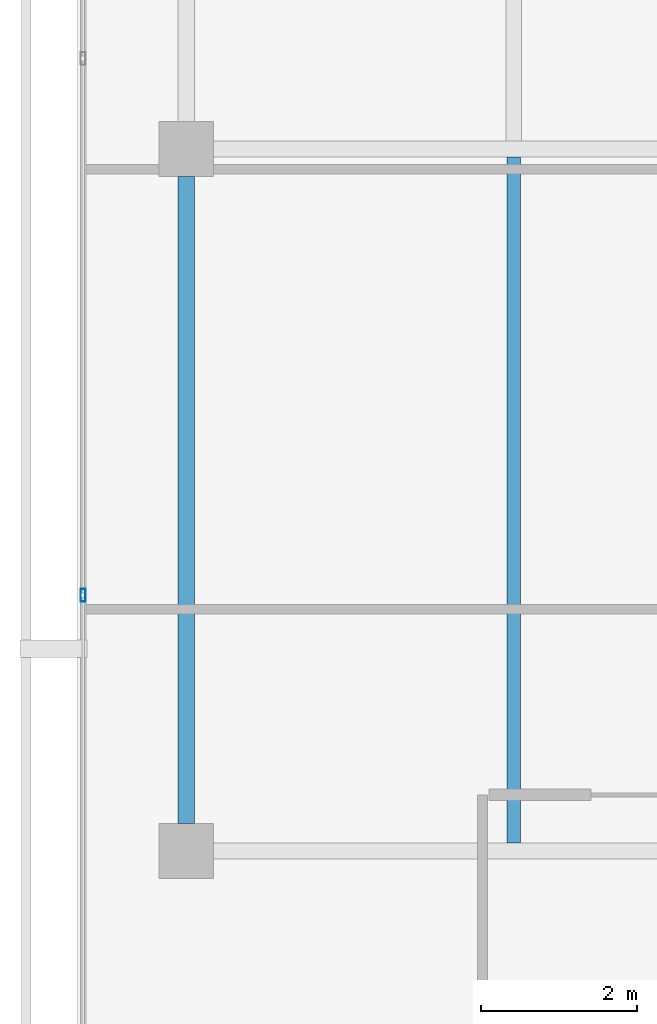
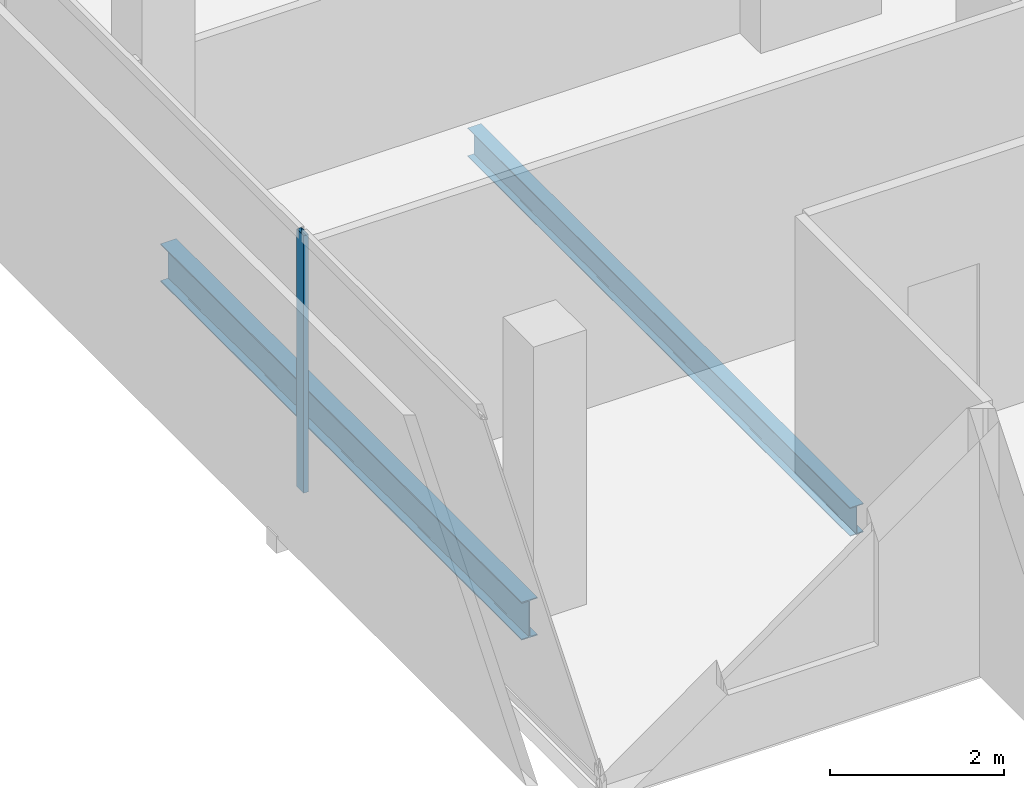
# One storey, part 4 of 26: 2 beams, 1 member, 1 element without a shape of its own.
"""IFC4 building model written with IfcOpenShell, lengths in metres."""

import ifcopenshell
import ifcopenshell.guid

model = None  # the IFC model being written
_history = None  # IfcOwnerHistory: only IFC2X3 demands one
_inside = {}  # id of a spatial element -> (the spatial element, [elements in it])
_under = {}  # id of a project, library or spatial element -> (it, [spatial elements below it])
_declared = {}  # id of a project -> (the project, [libraries it declares])
_typed = {}  # id of a type object -> (the type object, [elements of that type])
_made_of = {}  # id of a material, layer set ... -> (it, [elements and type objects made of it])


def new_model(schema):
    """Start an empty IFC model of exactly this schema.

    Asked for "IFC4X3", IfcOpenShell would pick the latest addendum, in which some entities
    have other attributes; the version numbers below select the first issue.
    IFC2X3 requires an IfcOwnerHistory on every rooted entity: one is made here for all.
    """
    global model, _history
    if schema == "IFC4X3":
        model = ifcopenshell.file(schema_version=(4, 3, 0, 0))
    else:
        model = ifcopenshell.file(schema=schema)
    _inside.clear()
    _under.clear()
    _declared.clear()
    _typed.clear()
    _made_of.clear()
    _history = None
    if model.schema == "IFC2X3":
        org = make("IfcOrganization", Name="unknown")
        user = make(
            "IfcPersonAndOrganization",
            ThePerson=make("IfcPerson", FamilyName="unknown"),
            TheOrganization=org,
        )
        app = make(
            "IfcApplication",
            ApplicationDeveloper=org,
            Version="unknown",
            ApplicationFullName="unknown",
            ApplicationIdentifier="unknown",
        )
        _history = make(
            "IfcOwnerHistory",
            OwningUser=user,
            OwningApplication=app,
            ChangeAction="ADDED",
            CreationDate=0,
        )
    return model


def make(cls, **values):
    """One entity of the class cls with the attributes given. An attribute that is None is left unset."""
    return model.create_entity(
        cls, **{name: value for name, value in values.items() if value is not None}
    )


def rooted(cls, **values):
    """An entity with a GlobalId (a new one), such as an element, a storey or a relation."""
    return make(cls, GlobalId=ifcopenshell.guid.new(), OwnerHistory=_history, **values)


def si_unit(unit_type, name, prefix=None):
    """IfcSIUnit, for example si_unit("LENGTHUNIT", "METRE", prefix="MILLI")."""
    return make("IfcSIUnit", UnitType=unit_type, Prefix=prefix, Name=name)


def assignment(units):
    """IfcUnitAssignment: the units of a project."""
    return None if units is None else make("IfcUnitAssignment", Units=units)


def point(xyz):
    """IfcCartesianPoint."""
    return None if xyz is None else make("IfcCartesianPoint", Coordinates=xyz)


def direction(xyz):
    """IfcDirection."""
    return None if xyz is None else make("IfcDirection", DirectionRatios=xyz)


def frame(location, z_axis=None, x_axis=None):
    """IfcAxis2Placement3D, a coordinate frame: its origin and axes. An axis left out is left unset."""
    return make(
        "IfcAxis2Placement3D",
        Location=point(location),
        Axis=direction(z_axis),
        RefDirection=direction(x_axis),
    )


def frame_2d(location, x_axis=None):
    """IfcAxis2Placement2D, a coordinate frame in the plane: its origin and x axis."""
    return make(
        "IfcAxis2Placement2D", Location=point(location), RefDirection=direction(x_axis)
    )


def origin():
    """The frame at (0, 0, 0) with its axes left unset."""
    return frame((0.0, 0.0, 0.0))


def origin_2d():
    """The frame at (0, 0) in the plane with its x axis left unset."""
    return frame_2d((0.0, 0.0))


def place(relative_to, where):
    """IfcLocalPlacement: puts the frame where relative to a parent placement (None: the world)."""
    return make(
        "IfcLocalPlacement", PlacementRelTo=relative_to, RelativePlacement=where
    )


def context(
    kind, dimensions, precision=None, world=None, true_north=None, identifier=None
):
    """IfcGeometricRepresentationContext, for example the 3D "Model" context."""
    return make(
        "IfcGeometricRepresentationContext",
        ContextIdentifier=identifier,
        ContextType=kind,
        CoordinateSpaceDimension=dimensions,
        Precision=precision,
        WorldCoordinateSystem=world,
        TrueNorth=true_north,
    )


def subcontext(parent, identifier, kind, view, scale=None):
    """IfcGeometricRepresentationSubContext, for example "Body" below "Model"."""
    return make(
        "IfcGeometricRepresentationSubContext",
        ContextIdentifier=identifier,
        ContextType=kind,
        ParentContext=parent,
        TargetScale=scale,
        TargetView=view,
    )


def project(units=None, contexts=None):
    """IfcProject with its units and contexts."""
    return rooted(
        "IfcProject",
        Name="project",
        RepresentationContexts=contexts,
        UnitsInContext=assignment(units),
    )


def spatial(cls, under=None, at=None, **own):
    """A site, building, storey or space (cls), placed at a placement, below another one or the project."""
    s = rooted(cls, ObjectPlacement=at, **own)
    if under is not None:
        _under.setdefault(under.id(), (under, []))[1].append(s)
    return s


def profile(cls, at=None, kind="AREA", **sizes):
    """A parametric profile (cls). Its sizes go by their IFC names, for example OverallWidth=200.0."""
    return make(cls, ProfileType=kind, Position=at, **sizes)


def hollow_rectangle(**sizes):
    """IfcRectangleHollowProfileDef."""
    return profile("IfcRectangleHollowProfileDef", **sizes)


def i_section(**sizes):
    """IfcIShapeProfileDef."""
    return profile("IfcIShapeProfileDef", **sizes)


def extrude(swept, where, along, depth):
    """IfcExtrudedAreaSolid: the profile swept, set in the frame where, extruded along a direction by depth."""
    return make(
        "IfcExtrudedAreaSolid",
        SweptArea=swept,
        Position=where,
        ExtrudedDirection=direction(along),
        Depth=depth,
    )


def shape(context_of_items, identifier, shape_type, items):
    """IfcShapeRepresentation: the items that make up one representation, for example the "Body"."""
    return make(
        "IfcShapeRepresentation",
        ContextOfItems=context_of_items,
        RepresentationIdentifier=identifier,
        RepresentationType=shape_type,
        Items=items,
    )


def material(Name=None, Category=None):
    """IfcMaterial."""
    return make("IfcMaterial", Name=Name, Category=Category)


def layer(
    of_material, thickness, ventilated=None, Name=None, Category=None, Priority=None
):
    """IfcMaterialLayer: one layer of a wall or slab, of a material (None: an air gap)."""
    return make(
        "IfcMaterialLayer",
        Material=of_material,
        LayerThickness=thickness,
        IsVentilated=ventilated,
        Name=Name,
        Category=Category,
        Priority=Priority,
    )


def layer_set(layers, Name=None):
    """IfcMaterialLayerSet."""
    return make("IfcMaterialLayerSet", MaterialLayers=layers, LayerSetName=Name)


def material_profile(
    of_material, cross_section, Name=None, Category=None, Priority=None
):
    """IfcMaterialProfile: a cross section and its material."""
    return make(
        "IfcMaterialProfile",
        Name=Name,
        Material=of_material,
        Profile=cross_section,
        Priority=Priority,
        Category=Category,
    )


def profile_set(profiles, Name=None, composite=None):
    """IfcMaterialProfileSet."""
    return make(
        "IfcMaterialProfileSet",
        Name=Name,
        MaterialProfiles=profiles,
        CompositeProfile=composite,
    )


def made_of(thing, what):
    """Note that an element or type object is made of a material, layer set ...; save() writes the relation."""
    if what is not None:
        _made_of.setdefault(what.id(), (what, []))[1].append(thing)
    return thing


def type_object(cls, material=None, **own):
    """A type object (cls), such as IfcWallType, which elements share."""
    return made_of(rooted(cls, **own), material)


def element(
    cls,
    number,
    at=None,
    inside=None,
    cuts=None,
    type_object=None,
    material=None,
    context=None,
    identifier="Body",
    shape_type=None,
    held_by="IfcProductDefinitionShape",
    body=None,
    shapes=None,
    **own,
):
    """One element of the class cls, such as IfcWall. Its Tag is "e" and its number.

    at: its placement. inside: the storey or other place that contains it. cuts: it is an
    opening in that element (IfcRelVoidsElement). A single representation is given by context,
    identifier, shape_type and body (its items); several are given by shapes. held_by: the class
    of the entity that holds the representations. save() writes the other relations.
    """
    e = rooted(cls, Tag="e%d" % number, ObjectPlacement=at, **own)
    if body is not None:
        shapes = [shape(context, identifier, shape_type, body)]
    if shapes is not None:
        e.Representation = make(held_by, Representations=shapes)
    if inside is not None:
        _inside.setdefault(inside.id(), (inside, []))[1].append(e)
    if cuts is not None:
        rooted(
            "IfcRelVoidsElement", RelatingBuildingElement=cuts, RelatedOpeningElement=e
        )
    if type_object is not None:
        _typed.setdefault(type_object.id(), (type_object, []))[1].append(e)
    return made_of(e, material)


def aggregate(whole, parts):
    """IfcRelAggregates: a whole, such as a stair, and the parts it consists of."""
    return rooted("IfcRelAggregates", RelatingObject=whole, RelatedObjects=parts)


def save(model, path):
    """Write the relations noted so far, then the file.

    IfcRelAggregates (storeys below a building ...), IfcRelContainedInSpatialStructure (elements
    in a storey), IfcRelDefinesByType, IfcRelAssociatesMaterial and IfcRelDeclares: one each for
    every whole, place, type object, material and project.
    """
    for whole, parts in _under.values():
        aggregate(whole, parts)
    for where, things in _inside.values():
        rooted(
            "IfcRelContainedInSpatialStructure",
            RelatedElements=things,
            RelatingStructure=where,
        )
    for kind, things in _typed.values():
        rooted("IfcRelDefinesByType", RelatedObjects=things, RelatingType=kind)
    for what, things in _made_of.values():
        rooted("IfcRelAssociatesMaterial", RelatedObjects=things, RelatingMaterial=what)
    for by, libraries in _declared.values():
        rooted("IfcRelDeclares", RelatingContext=by, RelatedDefinitions=libraries)
    model.write(path)


model = new_model("IFC4")

# Units and contexts
model_context = context("Model", 3, precision=1e-05, world=origin(), true_north=direction((0.0, 1.0)))
body_context = subcontext(model_context, "Body", "Model", "MODEL_VIEW")
ifc_project = project(units=[si_unit("LENGTHUNIT", "METRE"), si_unit("AREAUNIT", "SQUARE_METRE"), si_unit("VOLUMEUNIT", "CUBIC_METRE"), si_unit("PLANEANGLEUNIT", "RADIAN"), si_unit("MASSUNIT", "GRAM", prefix="KILO")], contexts=[model_context])

# Site, building, storey
site_placement = place(None, origin())
site = spatial("IfcSite", under=ifc_project, at=site_placement, CompositionType="ELEMENT")
building_placement = place(site_placement, origin())
building = spatial("IfcBuilding", under=site, at=building_placement, Name="Maruvema Waterfront Hotel and Observation Tower", CompositionType="ELEMENT")
storey_placement = place(building_placement, frame((0.0, 0.0, 243.25)))
storey = spatial("IfcBuildingStorey", under=building, at=storey_placement, Name="L59", CompositionType="ELEMENT", Elevation=243.25)

# Curtain wall, member
ifc_material_1 = material(Name="Anodised bronze aluminium and solar-control low-E IGU", Category="aluminium")
ifc_layer = layer(ifc_material_1, 0.159912109375, Name="Zone 3 Champagne Inner Thermal Curtain Wall System CW-04")
ifc_layer_set = layer_set([ifc_layer], Name="Anodised bronze aluminium and solar-control low-E IGU")
curtain_wall_type = type_object("IfcCurtainWallType", Name="Zone 3 Champagne Inner Thermal Curtain Wall System CW-04", PredefinedType="USERDEFINED", material=ifc_layer_set)
curtain_wall_placement = place(storey_placement, origin())
curtain_wall = element("IfcCurtainWall", 1, at=curtain_wall_placement, inside=storey, type_object=curtain_wall_type, Name="L59 Curtain Wall CW-L59-W", ObjectType="UNITISED CURTAIN WALL", PredefinedType="USERDEFINED")
ifc_material_2 = material(Name="Anodised architectural bronze aluminium", Category="aluminium")
ifc_material_profile_1 = material_profile(ifc_material_2, hollow_rectangle(XDim=0.06494140625, YDim=0.1650390625, WallThickness=0.00390625, at=origin_2d()), Name="ALU-M65x165")
ifc_profile_set_1 = profile_set([ifc_material_profile_1], Name="Anodised architectural bronze aluminium")
member_type = type_object("IfcMemberType", Name="Curtain Wall Primary Mullion ALU-M65x165", PredefinedType="MULLION", material=ifc_profile_set_1)
member_placement = place(storey_placement, frame((15.47998046875, 21.280029296875, 0.0), z_axis=(0.0, 0.0, 1.0), x_axis=(1.0, 0.0, 0.0)))
member = element("IfcMember", 2, at=member_placement, type_object=member_type, Name="CW-04 mullion 5", PredefinedType="MULLION", context=body_context, shape_type="SweptSolid", body=[
    extrude(hollow_rectangle(XDim=0.06494140625, YDim=0.1650390625, WallThickness=0.00390625, at=origin_2d()), origin(), (0.0, 0.0, 1.0), 3.610107421875),
])
aggregate(curtain_wall, [member])

# Beams
ifc_material_3 = material(Name="Steel ASTM A572 Grade 50", Category="steel")
ifc_material_profile_2 = material_profile(ifc_material_3, i_section(OverallWidth=0.208984375, OverallDepth=0.532958984375, WebThickness=0.01025390625, FlangeThickness=0.015625, FilletRadius=0.014892578125, at=origin_2d()), Name="W530x92.0")
ifc_profile_set_2 = profile_set([ifc_material_profile_2], Name="Steel ASTM A572 Grade 50")
beam_type_1 = type_object("IfcBeamType", Name="Primary Floor Girder W530x92.0", PredefinedType="BEAM", material=ifc_profile_set_2)
beam_1_placement = place(storey_placement, frame((16.800048828125, 18.35009765625, -0.506591796875), z_axis=(0.0, 1.0, 0.0), x_axis=(-1.0, 0.0, 0.0)))
element("IfcBeam", 3, at=beam_1_placement, inside=storey, type_object=beam_type_1, Name="L59 Floor Girder NS-01", PredefinedType="BEAM", context=body_context, shape_type="SweptSolid", body=[
    extrude(i_section(OverallWidth=0.208984375, OverallDepth=0.532958984375, WebThickness=0.01025390625, FlangeThickness=0.015625, FilletRadius=0.014892578125, at=origin_2d()), origin(), (0.0, 0.0, 1.0), 8.2998046875),
])
ifc_material_4 = material(Name="Steel ASTM A572 Grade 50", Category="steel")
ifc_material_profile_3 = material_profile(ifc_material_4, i_section(OverallWidth=0.177001953125, OverallDepth=0.403076171875, WebThickness=0.007568359375, FlangeThickness=0.010986328125, FilletRadius=0.014892578125, at=origin_2d()), Name="W410x53.0")
ifc_profile_set_3 = profile_set([ifc_material_profile_3], Name="Steel ASTM A572 Grade 50")
beam_type_2 = type_object("IfcBeamType", Name="Secondary Floor Joist W410x53.0", PredefinedType="JOIST", material=ifc_profile_set_3)
beam_2_placement = place(storey_placement, frame((21.0, 18.1044921875, -0.44140625), z_axis=(0.0, 1.0, 0.0), x_axis=(-1.0, 0.0, 0.0)))
element("IfcBeam", 4, at=beam_2_placement, inside=storey, type_object=beam_type_2, Name="L59 Secondary Floor Joist JS-01", PredefinedType="JOIST", context=body_context, shape_type="SweptSolid", body=[
    extrude(i_section(OverallWidth=0.177001953125, OverallDepth=0.403076171875, WebThickness=0.007568359375, FlangeThickness=0.010986328125, FilletRadius=0.014892578125, at=origin_2d()), origin(), (0.0, 0.0, 1.0), 8.791015625),
])

save(model, "model.ifc")
